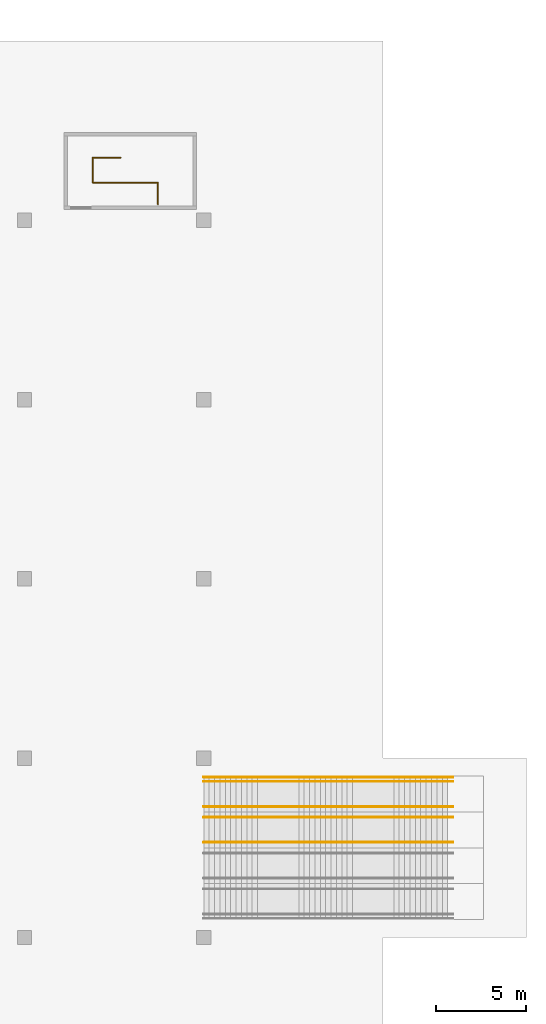
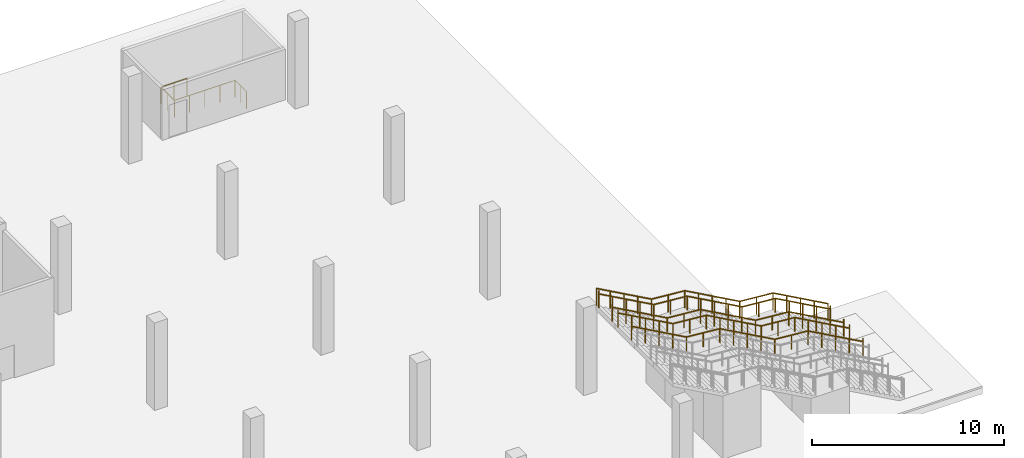
# One storey, part 19 of 21: 6 railings.
"""IFC4 building model written with IfcOpenShell, lengths in metres."""

from ifc_helpers import new_model, si_unit, direction, frame, origin, origin_2d, place, context, subcontext, project, spatial, circle, extrude, material, type_object, element, save


model = new_model("IFC4")

# Units and contexts
model_context = context("Model", 3, precision=1e-05, world=origin(), true_north=direction((0.0, 1.0)))
body_context = subcontext(model_context, "Body", "Model", "MODEL_VIEW")
ifc_project = project(units=[si_unit("LENGTHUNIT", "METRE"), si_unit("AREAUNIT", "SQUARE_METRE"), si_unit("VOLUMEUNIT", "CUBIC_METRE"), si_unit("PLANEANGLEUNIT", "RADIAN"), si_unit("MASSUNIT", "GRAM", prefix="KILO")], contexts=[model_context])

# Site, building, storey
site_placement = place(None, origin())
site = spatial("IfcSite", under=ifc_project, at=site_placement, CompositionType="ELEMENT")
building_placement = place(site_placement, origin())
building = spatial("IfcBuilding", under=site, at=building_placement, Name="Qaws Garden Tower", CompositionType="ELEMENT")
storey_placement = place(building_placement, origin())
storey = spatial("IfcBuildingStorey", under=building, at=storey_placement, Name="L00", CompositionType="ELEMENT", Elevation=0.0)

# Railings
ifc_material_1 = material(Name="Steel S355", Category="steel")
railing_type_1 = type_object("IfcRailingType", Name="Guard steel balustrade 1100", PredefinedType="GUARDRAIL", material=ifc_material_1)
railing_1_placement = place(storey_placement, frame((100.0, 68.93994140625, 6.0)))
element("IfcRailing", 1, at=railing_1_placement, inside=storey, type_object=railing_type_1, Name="Stair guard", PredefinedType="GUARDRAIL", context=body_context, shape_type="SweptSolid", body=[
    extrude(circle(Radius=0.02392578125, at=origin_2d()), frame((0.0, 0.0, 1.076171875), z_axis=(0.874169478083, 0.0, -0.485620966999), x_axis=(0.0, 1.0, 0.0)), (0.0, 0.0, 1.0), 3.775146484375),
    extrude(circle(Radius=0.02392578125, at=origin_2d()), frame((3.300048828125, 0.0, -0.75732421875), z_axis=(0.996542401618, 0.0, -0.083085749549), x_axis=(0.0, 1.0, 0.0)), (0.0, 0.0, 1.0), 2.0068359375),
    extrude(circle(Radius=0.02392578125, at=origin_2d()), frame((5.300048828125, 0.0, -0.923828125), z_axis=(0.874169478083, 0.0, -0.485620966999), x_axis=(0.0, 1.0, 0.0)), (0.0, 0.0, 1.0), 3.775146484375),
    extrude(circle(Radius=0.02392578125, at=origin_2d()), frame((8.60009765625, 0.0, -2.75732421875), z_axis=(0.996542401618, 0.0, -0.083085749549), x_axis=(0.0, 1.0, 0.0)), (0.0, 0.0, 1.0), 2.0068359375),
    extrude(circle(Radius=0.02392578125, at=origin_2d()), frame((10.60009765625, 0.0, -2.923828125), z_axis=(0.874154225373, 0.0, -0.485648422486), x_axis=(0.0, 1.0, 0.0)), (0.0, 0.0, 1.0), 3.77490234375),
    extrude(circle(Radius=0.02099609375, at=origin_2d()), origin(), (0.0, 0.0, 1.0), 1.052001953125),
    extrude(circle(Radius=0.02099609375, at=origin_2d()), frame((0.824951171875, 0.0, -0.458251953125)), (0.0, 0.0, 1.0), 1.052001953125),
    extrude(circle(Radius=0.02099609375, at=origin_2d()), frame((1.64990234375, 0.0, -0.91650390625)), (0.0, 0.0, 1.0), 1.052001953125),
    extrude(circle(Radius=0.02099609375, at=origin_2d()), frame((2.47509765625, 0.0, -1.375)), (0.0, 0.0, 1.0), 1.052001953125),
    extrude(circle(Radius=0.02099609375, at=origin_2d()), frame((3.300048828125, 0.0, -1.833251953125)), (0.0, 0.0, 1.0), 1.052001953125),
    extrude(circle(Radius=0.02099609375, at=origin_2d()), frame((4.300048828125, 0.0, -1.91650390625)), (0.0, 0.0, 1.0), 1.052001953125),
    extrude(circle(Radius=0.02099609375, at=origin_2d()), frame((5.300048828125, 0.0, -2.0)), (0.0, 0.0, 1.0), 1.052001953125),
    extrude(circle(Radius=0.02099609375, at=origin_2d()), frame((6.125, 0.0, -2.458251953125)), (0.0, 0.0, 1.0), 1.052001953125),
    extrude(circle(Radius=0.02099609375, at=origin_2d()), frame((6.9501953125, 0.0, -2.91650390625)), (0.0, 0.0, 1.0), 1.052001953125),
    extrude(circle(Radius=0.02099609375, at=origin_2d()), frame((7.775146484375, 0.0, -3.375)), (0.0, 0.0, 1.0), 1.052001953125),
    extrude(circle(Radius=0.02099609375, at=origin_2d()), frame((8.60009765625, 0.0, -3.833251953125)), (0.0, 0.0, 1.0), 1.052001953125),
    extrude(circle(Radius=0.02099609375, at=origin_2d()), frame((9.60009765625, 0.0, -3.91650390625)), (0.0, 0.0, 1.0), 1.052001953125),
    extrude(circle(Radius=0.02099609375, at=origin_2d()), frame((10.60009765625, 0.0, -4.0)), (0.0, 0.0, 1.0), 1.052001953125),
    extrude(circle(Radius=0.02099609375, at=origin_2d()), frame((11.425048828125, 0.0, -4.458251953125)), (0.0, 0.0, 1.0), 1.052001953125),
    extrude(circle(Radius=0.02099609375, at=origin_2d()), frame((12.25, 0.0, -4.91650390625)), (0.0, 0.0, 1.0), 1.052001953125),
    extrude(circle(Radius=0.02099609375, at=origin_2d()), frame((13.074951171875, 0.0, -5.375)), (0.0, 0.0, 1.0), 1.052001953125),
    extrude(circle(Radius=0.02099609375, at=origin_2d()), frame((13.89990234375, 0.0, -5.833251953125)), (0.0, 0.0, 1.0), 1.052001953125),
])
railing_2_placement = place(storey_placement, frame((97.43994140625, 100.89990234375, 0.0)))
element("IfcRailing", 2, at=railing_2_placement, inside=storey, type_object=railing_type_1, Name="Stair opening guard", PredefinedType="GUARDRAIL", context=body_context, shape_type="SweptSolid", body=[
    extrude(circle(Radius=0.02392578125, at=origin_2d()), frame((0.0, 0.0, 1.076171875), z_axis=(0.0, 1.0, 0.0), x_axis=(-1.0, 0.0, 0.0)), (0.0, 0.0, 1.0), 1.2001953125),
    extrude(circle(Radius=0.02392578125, at=origin_2d()), frame((0.0, 1.2001953125, 1.076171875), z_axis=(-1.0, 0.0, 0.0), x_axis=(0.0, -1.0, 0.0)), (0.0, 0.0, 1.0), 3.639892578125),
    extrude(circle(Radius=0.02392578125, at=origin_2d()), frame((-3.639892578125, 1.2001953125, 1.076171875), z_axis=(0.0, 1.0, 0.0), x_axis=(-1.0, 0.0, 0.0)), (0.0, 0.0, 1.0), 1.39990234375),
    extrude(circle(Radius=0.02392578125, at=origin_2d()), frame((-3.639892578125, 2.60009765625, 1.076171875), z_axis=(1.0, 0.0, 0.0), x_axis=(0.0, 1.0, 0.0)), (0.0, 0.0, 1.0), 1.56005859375),
    extrude(circle(Radius=0.02099609375, at=origin_2d()), origin(), (0.0, 0.0, 1.0), 1.052001953125),
    extrude(circle(Radius=0.02099609375, at=origin_2d()), frame((0.0, 0.60009765625, 0.0)), (0.0, 0.0, 1.0), 1.052001953125),
    extrude(circle(Radius=0.02099609375, at=origin_2d()), frame((0.0, 1.2001953125, 0.0)), (0.0, 0.0, 1.0), 1.052001953125),
    extrude(circle(Radius=0.02099609375, at=origin_2d()), frame((-0.909912109375, 1.2001953125, 0.0)), (0.0, 0.0, 1.0), 1.052001953125),
    extrude(circle(Radius=0.02099609375, at=origin_2d()), frame((-1.81982421875, 1.2001953125, 0.0)), (0.0, 0.0, 1.0), 1.052001953125),
    extrude(circle(Radius=0.02099609375, at=origin_2d()), frame((-2.72998046875, 1.2001953125, 0.0)), (0.0, 0.0, 1.0), 1.052001953125),
    extrude(circle(Radius=0.02099609375, at=origin_2d()), frame((-3.639892578125, 1.2001953125, 0.0)), (0.0, 0.0, 1.0), 1.052001953125),
    extrude(circle(Radius=0.02099609375, at=origin_2d()), frame((-3.639892578125, 1.900146484375, 0.0)), (0.0, 0.0, 1.0), 1.052001953125),
    extrude(circle(Radius=0.02099609375, at=origin_2d()), frame((-3.639892578125, 2.60009765625, 0.0)), (0.0, 0.0, 1.0), 1.052001953125),
    extrude(circle(Radius=0.02099609375, at=origin_2d()), frame((-2.85986328125, 2.60009765625, 0.0)), (0.0, 0.0, 1.0), 1.052001953125),
    extrude(circle(Radius=0.02099609375, at=origin_2d()), frame((-2.079833984375, 2.60009765625, 0.0)), (0.0, 0.0, 1.0), 1.052001953125),
])
ifc_material_2 = material(Name="Stainless steel 316", Category="steel")
railing_type_2 = type_object("IfcRailingType", Name="Handrail 900", PredefinedType="HANDRAIL", material=ifc_material_2)
railing_3_placement = place(storey_placement, frame((100.0, 65.300048828125, 6.0)))
element("IfcRailing", 3, at=railing_3_placement, inside=storey, type_object=railing_type_2, Name="Stair handrail", PredefinedType="HANDRAIL", context=body_context, shape_type="SweptSolid", body=[
    extrude(circle(Radius=0.02392578125, at=origin_2d()), frame((0.0, 0.0, 0.8759765625), z_axis=(0.874169478083, 0.0, -0.485620966999), x_axis=(0.0, 1.0, 0.0)), (0.0, 0.0, 1.0), 3.775146484375),
    extrude(circle(Radius=0.02392578125, at=origin_2d()), frame((3.300048828125, 0.0, -0.95751953125), z_axis=(0.996542401618, 0.0, -0.083085749549), x_axis=(0.0, 1.0, 0.0)), (0.0, 0.0, 1.0), 2.0068359375),
    extrude(circle(Radius=0.02392578125, at=origin_2d()), frame((5.300048828125, 0.0, -1.1240234375), z_axis=(0.874169478083, 0.0, -0.485620966999), x_axis=(0.0, 1.0, 0.0)), (0.0, 0.0, 1.0), 3.775146484375),
    extrude(circle(Radius=0.02392578125, at=origin_2d()), frame((8.60009765625, 0.0, -2.95751953125), z_axis=(0.996542401618, 0.0, -0.083085749549), x_axis=(0.0, 1.0, 0.0)), (0.0, 0.0, 1.0), 2.0068359375),
    extrude(circle(Radius=0.02392578125, at=origin_2d()), frame((10.60009765625, 0.0, -3.1240234375), z_axis=(0.874154225373, 0.0, -0.485648422486), x_axis=(0.0, 1.0, 0.0)), (0.0, 0.0, 1.0), 3.77490234375),
    extrude(circle(Radius=0.02099609375, at=origin_2d()), origin(), (0.0, 0.0, 1.0), 1.06689453125),
    extrude(circle(Radius=0.02099609375, at=origin_2d()), frame((0.824951171875, 0.0, -0.458251953125)), (0.0, 0.0, 1.0), 0.851806640625),
    extrude(circle(Radius=0.02099609375, at=origin_2d()), frame((1.64990234375, 0.0, -0.91650390625)), (0.0, 0.0, 1.0), 0.851806640625),
    extrude(circle(Radius=0.02099609375, at=origin_2d()), frame((2.47509765625, 0.0, -1.375)), (0.0, 0.0, 1.0), 0.851806640625),
    extrude(circle(Radius=0.02099609375, at=origin_2d()), frame((3.300048828125, 0.0, -1.833251953125)), (0.0, 0.0, 1.0), 0.851806640625),
    extrude(circle(Radius=0.02099609375, at=origin_2d()), frame((4.300048828125, 0.0, -1.91650390625)), (0.0, 0.0, 1.0), 0.851806640625),
    extrude(circle(Radius=0.02099609375, at=origin_2d()), frame((5.300048828125, 0.0, -2.0)), (0.0, 0.0, 1.0), 0.851806640625),
    extrude(circle(Radius=0.02099609375, at=origin_2d()), frame((6.125, 0.0, -2.458251953125)), (0.0, 0.0, 1.0), 0.851806640625),
    extrude(circle(Radius=0.02099609375, at=origin_2d()), frame((6.9501953125, 0.0, -2.91650390625)), (0.0, 0.0, 1.0), 0.851806640625),
    extrude(circle(Radius=0.02099609375, at=origin_2d()), frame((7.775146484375, 0.0, -3.375)), (0.0, 0.0, 1.0), 0.851806640625),
    extrude(circle(Radius=0.02099609375, at=origin_2d()), frame((8.60009765625, 0.0, -3.833251953125)), (0.0, 0.0, 1.0), 0.851806640625),
    extrude(circle(Radius=0.02099609375, at=origin_2d()), frame((9.60009765625, 0.0, -3.91650390625)), (0.0, 0.0, 1.0), 0.851806640625),
    extrude(circle(Radius=0.02099609375, at=origin_2d()), frame((10.60009765625, 0.0, -4.0)), (0.0, 0.0, 1.0), 0.851806640625),
    extrude(circle(Radius=0.02099609375, at=origin_2d()), frame((11.425048828125, 0.0, -4.458251953125)), (0.0, 0.0, 1.0), 0.851806640625),
    extrude(circle(Radius=0.02099609375, at=origin_2d()), frame((12.25, 0.0, -4.91650390625)), (0.0, 0.0, 1.0), 0.851806640625),
    extrude(circle(Radius=0.02099609375, at=origin_2d()), frame((13.074951171875, 0.0, -5.375)), (0.0, 0.0, 1.0), 0.851806640625),
    extrude(circle(Radius=0.02099609375, at=origin_2d()), frame((13.89990234375, 0.0, -5.833251953125)), (0.0, 0.0, 1.0), 1.06689453125),
])
railing_4_placement = place(storey_placement, frame((100.0, 66.699951171875, 6.0)))
element("IfcRailing", 4, at=railing_4_placement, inside=storey, type_object=railing_type_2, Name="Stair handrail", PredefinedType="HANDRAIL", context=body_context, shape_type="SweptSolid", body=[
    extrude(circle(Radius=0.02392578125, at=origin_2d()), frame((0.0, 0.0, 0.8759765625), z_axis=(0.874169478083, 0.0, -0.485620966999), x_axis=(0.0, 1.0, 0.0)), (0.0, 0.0, 1.0), 3.775146484375),
    extrude(circle(Radius=0.02392578125, at=origin_2d()), frame((3.300048828125, 0.0, -0.95751953125), z_axis=(0.996542401618, 0.0, -0.083085749549), x_axis=(0.0, 1.0, 0.0)), (0.0, 0.0, 1.0), 2.0068359375),
    extrude(circle(Radius=0.02392578125, at=origin_2d()), frame((5.300048828125, 0.0, -1.1240234375), z_axis=(0.874169478083, 0.0, -0.485620966999), x_axis=(0.0, 1.0, 0.0)), (0.0, 0.0, 1.0), 3.775146484375),
    extrude(circle(Radius=0.02392578125, at=origin_2d()), frame((8.60009765625, 0.0, -2.95751953125), z_axis=(0.996542401618, 0.0, -0.083085749549), x_axis=(0.0, 1.0, 0.0)), (0.0, 0.0, 1.0), 2.0068359375),
    extrude(circle(Radius=0.02392578125, at=origin_2d()), frame((10.60009765625, 0.0, -3.1240234375), z_axis=(0.874154225373, 0.0, -0.485648422486), x_axis=(0.0, 1.0, 0.0)), (0.0, 0.0, 1.0), 3.77490234375),
    extrude(circle(Radius=0.02099609375, at=origin_2d()), origin(), (0.0, 0.0, 1.0), 1.06689453125),
    extrude(circle(Radius=0.02099609375, at=origin_2d()), frame((0.824951171875, 0.0, -0.458251953125)), (0.0, 0.0, 1.0), 0.851806640625),
    extrude(circle(Radius=0.02099609375, at=origin_2d()), frame((1.64990234375, 0.0, -0.91650390625)), (0.0, 0.0, 1.0), 0.851806640625),
    extrude(circle(Radius=0.02099609375, at=origin_2d()), frame((2.47509765625, 0.0, -1.375)), (0.0, 0.0, 1.0), 0.851806640625),
    extrude(circle(Radius=0.02099609375, at=origin_2d()), frame((3.300048828125, 0.0, -1.833251953125)), (0.0, 0.0, 1.0), 0.851806640625),
    extrude(circle(Radius=0.02099609375, at=origin_2d()), frame((4.300048828125, 0.0, -1.91650390625)), (0.0, 0.0, 1.0), 0.851806640625),
    extrude(circle(Radius=0.02099609375, at=origin_2d()), frame((5.300048828125, 0.0, -2.0)), (0.0, 0.0, 1.0), 0.851806640625),
    extrude(circle(Radius=0.02099609375, at=origin_2d()), frame((6.125, 0.0, -2.458251953125)), (0.0, 0.0, 1.0), 0.851806640625),
    extrude(circle(Radius=0.02099609375, at=origin_2d()), frame((6.9501953125, 0.0, -2.91650390625)), (0.0, 0.0, 1.0), 0.851806640625),
    extrude(circle(Radius=0.02099609375, at=origin_2d()), frame((7.775146484375, 0.0, -3.375)), (0.0, 0.0, 1.0), 0.851806640625),
    extrude(circle(Radius=0.02099609375, at=origin_2d()), frame((8.60009765625, 0.0, -3.833251953125)), (0.0, 0.0, 1.0), 0.851806640625),
    extrude(circle(Radius=0.02099609375, at=origin_2d()), frame((9.60009765625, 0.0, -3.91650390625)), (0.0, 0.0, 1.0), 0.851806640625),
    extrude(circle(Radius=0.02099609375, at=origin_2d()), frame((10.60009765625, 0.0, -4.0)), (0.0, 0.0, 1.0), 0.851806640625),
    extrude(circle(Radius=0.02099609375, at=origin_2d()), frame((11.425048828125, 0.0, -4.458251953125)), (0.0, 0.0, 1.0), 0.851806640625),
    extrude(circle(Radius=0.02099609375, at=origin_2d()), frame((12.25, 0.0, -4.91650390625)), (0.0, 0.0, 1.0), 0.851806640625),
    extrude(circle(Radius=0.02099609375, at=origin_2d()), frame((13.074951171875, 0.0, -5.375)), (0.0, 0.0, 1.0), 0.851806640625),
    extrude(circle(Radius=0.02099609375, at=origin_2d()), frame((13.89990234375, 0.0, -5.833251953125)), (0.0, 0.0, 1.0), 1.06689453125),
])
railing_5_placement = place(storey_placement, frame((100.0, 67.300048828125, 6.0)))
element("IfcRailing", 5, at=railing_5_placement, inside=storey, type_object=railing_type_2, Name="Stair handrail", PredefinedType="HANDRAIL", context=body_context, shape_type="SweptSolid", body=[
    extrude(circle(Radius=0.02392578125, at=origin_2d()), frame((0.0, 0.0, 0.8759765625), z_axis=(0.874169478083, 0.0, -0.485620966999), x_axis=(0.0, 1.0, 0.0)), (0.0, 0.0, 1.0), 3.775146484375),
    extrude(circle(Radius=0.02392578125, at=origin_2d()), frame((3.300048828125, 0.0, -0.95751953125), z_axis=(0.996542401618, 0.0, -0.083085749549), x_axis=(0.0, 1.0, 0.0)), (0.0, 0.0, 1.0), 2.0068359375),
    extrude(circle(Radius=0.02392578125, at=origin_2d()), frame((5.300048828125, 0.0, -1.1240234375), z_axis=(0.874169478083, 0.0, -0.485620966999), x_axis=(0.0, 1.0, 0.0)), (0.0, 0.0, 1.0), 3.775146484375),
    extrude(circle(Radius=0.02392578125, at=origin_2d()), frame((8.60009765625, 0.0, -2.95751953125), z_axis=(0.996542401618, 0.0, -0.083085749549), x_axis=(0.0, 1.0, 0.0)), (0.0, 0.0, 1.0), 2.0068359375),
    extrude(circle(Radius=0.02392578125, at=origin_2d()), frame((10.60009765625, 0.0, -3.1240234375), z_axis=(0.874154225373, 0.0, -0.485648422486), x_axis=(0.0, 1.0, 0.0)), (0.0, 0.0, 1.0), 3.77490234375),
    extrude(circle(Radius=0.02099609375, at=origin_2d()), origin(), (0.0, 0.0, 1.0), 1.06689453125),
    extrude(circle(Radius=0.02099609375, at=origin_2d()), frame((0.824951171875, 0.0, -0.458251953125)), (0.0, 0.0, 1.0), 0.851806640625),
    extrude(circle(Radius=0.02099609375, at=origin_2d()), frame((1.64990234375, 0.0, -0.91650390625)), (0.0, 0.0, 1.0), 0.851806640625),
    extrude(circle(Radius=0.02099609375, at=origin_2d()), frame((2.47509765625, 0.0, -1.375)), (0.0, 0.0, 1.0), 0.851806640625),
    extrude(circle(Radius=0.02099609375, at=origin_2d()), frame((3.300048828125, 0.0, -1.833251953125)), (0.0, 0.0, 1.0), 0.851806640625),
    extrude(circle(Radius=0.02099609375, at=origin_2d()), frame((4.300048828125, 0.0, -1.91650390625)), (0.0, 0.0, 1.0), 0.851806640625),
    extrude(circle(Radius=0.02099609375, at=origin_2d()), frame((5.300048828125, 0.0, -2.0)), (0.0, 0.0, 1.0), 0.851806640625),
    extrude(circle(Radius=0.02099609375, at=origin_2d()), frame((6.125, 0.0, -2.458251953125)), (0.0, 0.0, 1.0), 0.851806640625),
    extrude(circle(Radius=0.02099609375, at=origin_2d()), frame((6.9501953125, 0.0, -2.91650390625)), (0.0, 0.0, 1.0), 0.851806640625),
    extrude(circle(Radius=0.02099609375, at=origin_2d()), frame((7.775146484375, 0.0, -3.375)), (0.0, 0.0, 1.0), 0.851806640625),
    extrude(circle(Radius=0.02099609375, at=origin_2d()), frame((8.60009765625, 0.0, -3.833251953125)), (0.0, 0.0, 1.0), 0.851806640625),
    extrude(circle(Radius=0.02099609375, at=origin_2d()), frame((9.60009765625, 0.0, -3.91650390625)), (0.0, 0.0, 1.0), 0.851806640625),
    extrude(circle(Radius=0.02099609375, at=origin_2d()), frame((10.60009765625, 0.0, -4.0)), (0.0, 0.0, 1.0), 0.851806640625),
    extrude(circle(Radius=0.02099609375, at=origin_2d()), frame((11.425048828125, 0.0, -4.458251953125)), (0.0, 0.0, 1.0), 0.851806640625),
    extrude(circle(Radius=0.02099609375, at=origin_2d()), frame((12.25, 0.0, -4.91650390625)), (0.0, 0.0, 1.0), 0.851806640625),
    extrude(circle(Radius=0.02099609375, at=origin_2d()), frame((13.074951171875, 0.0, -5.375)), (0.0, 0.0, 1.0), 0.851806640625),
    extrude(circle(Radius=0.02099609375, at=origin_2d()), frame((13.89990234375, 0.0, -5.833251953125)), (0.0, 0.0, 1.0), 1.06689453125),
])
railing_6_placement = place(storey_placement, frame((100.0, 68.699951171875, 6.0)))
element("IfcRailing", 6, at=railing_6_placement, inside=storey, type_object=railing_type_2, Name="Stair handrail", PredefinedType="HANDRAIL", context=body_context, shape_type="SweptSolid", body=[
    extrude(circle(Radius=0.02392578125, at=origin_2d()), frame((0.0, 0.0, 0.8759765625), z_axis=(0.874169478083, 0.0, -0.485620966999), x_axis=(0.0, 1.0, 0.0)), (0.0, 0.0, 1.0), 3.775146484375),
    extrude(circle(Radius=0.02392578125, at=origin_2d()), frame((3.300048828125, 0.0, -0.95751953125), z_axis=(0.996542401618, 0.0, -0.083085749549), x_axis=(0.0, 1.0, 0.0)), (0.0, 0.0, 1.0), 2.0068359375),
    extrude(circle(Radius=0.02392578125, at=origin_2d()), frame((5.300048828125, 0.0, -1.1240234375), z_axis=(0.874169478083, 0.0, -0.485620966999), x_axis=(0.0, 1.0, 0.0)), (0.0, 0.0, 1.0), 3.775146484375),
    extrude(circle(Radius=0.02392578125, at=origin_2d()), frame((8.60009765625, 0.0, -2.95751953125), z_axis=(0.996542401618, 0.0, -0.083085749549), x_axis=(0.0, 1.0, 0.0)), (0.0, 0.0, 1.0), 2.0068359375),
    extrude(circle(Radius=0.02392578125, at=origin_2d()), frame((10.60009765625, 0.0, -3.1240234375), z_axis=(0.874154225373, 0.0, -0.485648422486), x_axis=(0.0, 1.0, 0.0)), (0.0, 0.0, 1.0), 3.77490234375),
    extrude(circle(Radius=0.02099609375, at=origin_2d()), origin(), (0.0, 0.0, 1.0), 1.06689453125),
    extrude(circle(Radius=0.02099609375, at=origin_2d()), frame((0.824951171875, 0.0, -0.458251953125)), (0.0, 0.0, 1.0), 0.851806640625),
    extrude(circle(Radius=0.02099609375, at=origin_2d()), frame((1.64990234375, 0.0, -0.91650390625)), (0.0, 0.0, 1.0), 0.851806640625),
    extrude(circle(Radius=0.02099609375, at=origin_2d()), frame((2.47509765625, 0.0, -1.375)), (0.0, 0.0, 1.0), 0.851806640625),
    extrude(circle(Radius=0.02099609375, at=origin_2d()), frame((3.300048828125, 0.0, -1.833251953125)), (0.0, 0.0, 1.0), 0.851806640625),
    extrude(circle(Radius=0.02099609375, at=origin_2d()), frame((4.300048828125, 0.0, -1.91650390625)), (0.0, 0.0, 1.0), 0.851806640625),
    extrude(circle(Radius=0.02099609375, at=origin_2d()), frame((5.300048828125, 0.0, -2.0)), (0.0, 0.0, 1.0), 0.851806640625),
    extrude(circle(Radius=0.02099609375, at=origin_2d()), frame((6.125, 0.0, -2.458251953125)), (0.0, 0.0, 1.0), 0.851806640625),
    extrude(circle(Radius=0.02099609375, at=origin_2d()), frame((6.9501953125, 0.0, -2.91650390625)), (0.0, 0.0, 1.0), 0.851806640625),
    extrude(circle(Radius=0.02099609375, at=origin_2d()), frame((7.775146484375, 0.0, -3.375)), (0.0, 0.0, 1.0), 0.851806640625),
    extrude(circle(Radius=0.02099609375, at=origin_2d()), frame((8.60009765625, 0.0, -3.833251953125)), (0.0, 0.0, 1.0), 0.851806640625),
    extrude(circle(Radius=0.02099609375, at=origin_2d()), frame((9.60009765625, 0.0, -3.91650390625)), (0.0, 0.0, 1.0), 0.851806640625),
    extrude(circle(Radius=0.02099609375, at=origin_2d()), frame((10.60009765625, 0.0, -4.0)), (0.0, 0.0, 1.0), 0.851806640625),
    extrude(circle(Radius=0.02099609375, at=origin_2d()), frame((11.425048828125, 0.0, -4.458251953125)), (0.0, 0.0, 1.0), 0.851806640625),
    extrude(circle(Radius=0.02099609375, at=origin_2d()), frame((12.25, 0.0, -4.91650390625)), (0.0, 0.0, 1.0), 0.851806640625),
    extrude(circle(Radius=0.02099609375, at=origin_2d()), frame((13.074951171875, 0.0, -5.375)), (0.0, 0.0, 1.0), 0.851806640625),
    extrude(circle(Radius=0.02099609375, at=origin_2d()), frame((13.89990234375, 0.0, -5.833251953125)), (0.0, 0.0, 1.0), 1.06689453125),
])

save(model, "model.ifc")
